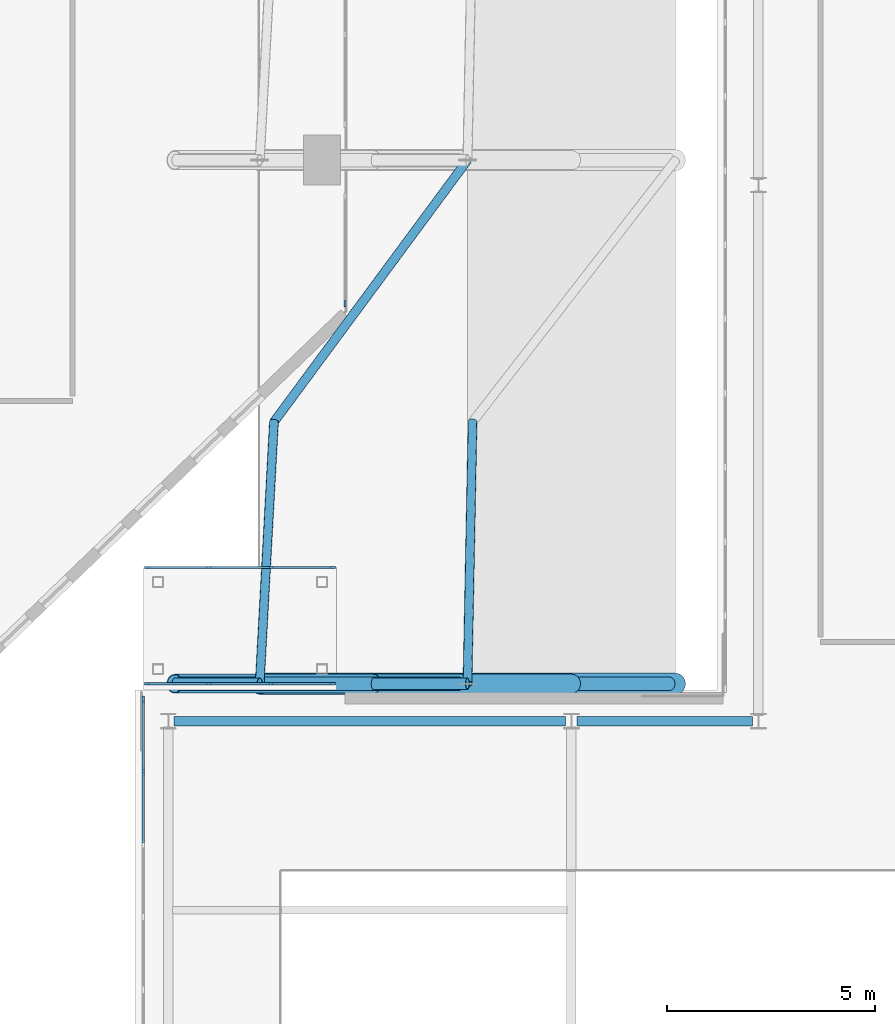
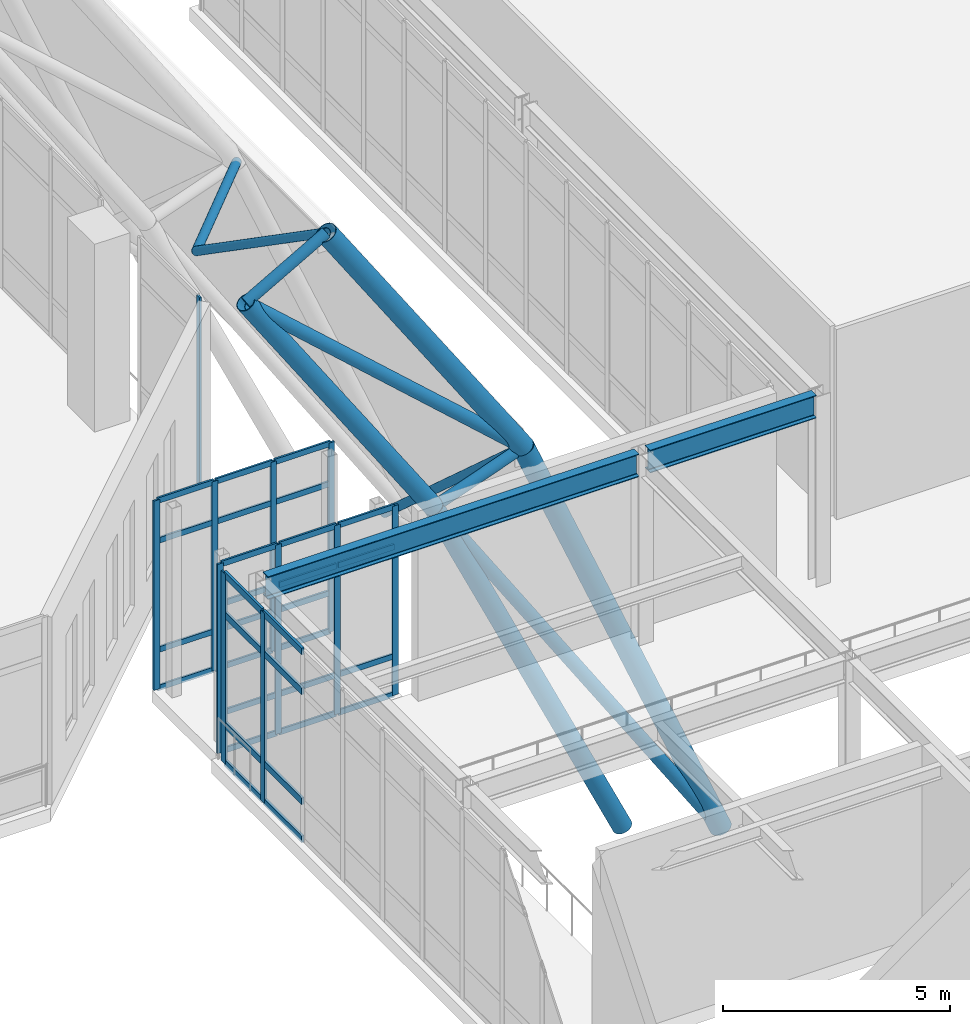
# One storey, part 37 of 159: 54 members, 2 beams, 4 elements without a shape of their own.
"""IFC4 building model written with IfcOpenShell, lengths in metres."""

from ifc_helpers import new_model, si_unit, derived_unit, direction, frame, origin, origin_2d, place, context, subcontext, project, spatial, rectangle, hollow_circle, i_section, extrude, material, layer, layer_set, material_profile, profile_set, type_object, element, aggregate, save


model = new_model("IFC4")

# Units and contexts
model_context = context("Model", 3, precision=1e-05, world=origin(), true_north=direction((0.0, 1.0)))
body_context = subcontext(model_context, "Body", "Model", "MODEL_VIEW")
ifc_project = project(units=[si_unit("LENGTHUNIT", "METRE"), si_unit("AREAUNIT", "SQUARE_METRE"), si_unit("VOLUMEUNIT", "CUBIC_METRE"), si_unit("PLANEANGLEUNIT", "RADIAN"), si_unit("MASSUNIT", "GRAM", prefix="KILO"), derived_unit("THERMALTRANSMITTANCEUNIT", [(si_unit("MASSUNIT", "GRAM", prefix="KILO"), 1), (si_unit("TIMEUNIT", "SECOND"), -3), (si_unit("THERMODYNAMICTEMPERATUREUNIT", "KELVIN"), -1)])], contexts=[model_context])

# Site, building, storey
site_placement = place(None, origin())
site = spatial("IfcSite", under=ifc_project, at=site_placement, CompositionType="ELEMENT")
building_placement = place(site_placement, origin())
building = spatial("IfcBuilding", under=site, at=building_placement, Name="Valcora Ridge Arena", CompositionType="ELEMENT")
storey_placement = place(building_placement, frame((0.0, 0.0, 6.0)))
storey = spatial("IfcBuildingStorey", under=building, at=storey_placement, Name="L01", CompositionType="ELEMENT", Elevation=6.0)

# Beams
ifc_material_1 = material(Name="Steel ASTM A572 Grade 50", Category="steel")
ifc_material_profile_1 = material_profile(ifc_material_1, i_section(OverallWidth=0.22900390625, OverallDepth=0.612060546875, WebThickness=0.011962890625, FlangeThickness=0.01953125, FilletRadius=0.01806640625, at=origin_2d()), Name="W24X84")
ifc_profile_set_1 = profile_set([ifc_material_profile_1], Name="Steel ASTM A572 Grade 50")
beam_type = type_object("IfcBeamType", Name="TY-BEAM-G-W24X84-X", PredefinedType="BEAM", material=ifc_profile_set_1)
beam_1_placement = place(storey_placement, frame((98.93994140625, 19.10009765625, 4.7939453125), z_axis=(1.0, 0.0, 0.0), x_axis=(0.0, 1.0, 0.0)))
element("IfcBeam", 1, at=beam_1_placement, inside=storey, type_object=beam_type, Name="G-W24X84-X BEM-G-W24X84-X-0007", PredefinedType="BEAM", context=body_context, shape_type="SweptSolid", body=[
    extrude(i_section(OverallWidth=0.22900390625, OverallDepth=0.612060546875, WebThickness=0.011962890625, FlangeThickness=0.01953125, FilletRadius=0.01806640625, at=origin_2d()), origin(), (0.0, 0.0, 1.0), 9.420166015625),
])
beam_2_placement = place(storey_placement, frame((108.639892578125, 19.10009765625, 4.7939453125), z_axis=(1.0, 0.0, 0.0), x_axis=(0.0, 1.0, 0.0)))
element("IfcBeam", 2, at=beam_2_placement, inside=storey, type_object=beam_type, Name="G-W24X84-X BEM-G-W24X84-X-0008", PredefinedType="BEAM", context=body_context, shape_type="SweptSolid", body=[
    extrude(i_section(OverallWidth=0.22900390625, OverallDepth=0.612060546875, WebThickness=0.011962890625, FlangeThickness=0.01953125, FilletRadius=0.01806640625, at=origin_2d()), origin(), (0.0, 0.0, 1.0), 4.22021484375),
])

# Curtain wall, member
ifc_material_2 = material(Name="Anodised dark bronze architectural aluminium 6063-T6", Category="aluminium")
ifc_layer_1 = layer(ifc_material_2, 0.14990234375, Name="Anodised dark bronze architectural aluminium 6063-T6")
ifc_layer_set_1 = layer_set([ifc_layer_1], Name="Anodised dark bronze architectural aluminium 6063-T6")
curtain_wall_type_1 = type_object("IfcCurtainWallType", Name="TY-CURTAINWALL-CW-V1-EAST-026X50", PredefinedType="NOTDEFINED", material=ifc_layer_set_1)
curtain_wall_1_placement = place(storey_placement, origin())
curtain_wall_1 = element("IfcCurtainWall", 3, at=curtain_wall_1_placement, inside=storey, type_object=curtain_wall_type_1, Name="CW-V1-EAST-026X50 CW-0106", PredefinedType="NOTDEFINED")
ifc_material_profile_2 = material_profile(ifc_material_2, rectangle(XDim=0.050048828125, YDim=0.14990234375, at=origin_2d()), Name="ALU MULLION 50x150")
ifc_profile_set_2 = profile_set([ifc_material_profile_2], Name="Anodised dark bronze architectural aluminium 6063-T6")
member_type_1 = type_object("IfcMemberType", Name="TY-MEM-CWM-50x150", PredefinedType="MULLION", material=ifc_profile_set_2)
member_1_placement = place(storey_placement, frame((103.050048828125, 29.141845703125, 0.0), z_axis=(0.0, 0.0, 1.0), x_axis=(-1.0, 0.0, 0.0)))
member_1 = element("IfcMember", 4, at=member_1_placement, type_object=member_type_1, Name="CW-0106/CWM-50x150/M00", PredefinedType="MULLION", context=body_context, shape_type="SweptSolid", body=[
    extrude(rectangle(XDim=0.050048828125, YDim=0.14990234375, at=origin_2d()), origin(), (0.0, 0.0, 1.0), 5.0400390625),
])
aggregate(curtain_wall_1, [member_1])

# Curtain wall, members
ifc_layer_2 = layer(ifc_material_2, 0.14990234375, Name="Anodised dark bronze architectural aluminium 6063-T6")
ifc_layer_set_2 = layer_set([ifc_layer_2], Name="Anodised dark bronze architectural aluminium 6063-T6")
curtain_wall_type_2 = type_object("IfcCurtainWallType", Name="TY-CURTAINWALL-CW-BRG-045X51", PredefinedType="NOTDEFINED", material=ifc_layer_set_2)
curtain_wall_2_placement = place(storey_placement, origin())
curtain_wall_2 = element("IfcCurtainWall", 5, at=curtain_wall_2_placement, inside=storey, type_object=curtain_wall_type_2, Name="CW-BRG-045X51 CW-0348", PredefinedType="NOTDEFINED")
member_2_placement = place(storey_placement, frame((98.304931640625, 20.0, 0.0), z_axis=(0.0, 0.0, 1.0), x_axis=(0.0, 1.0, 0.0)))
member_2 = element("IfcMember", 6, at=member_2_placement, type_object=member_type_1, Name="CW-0348/CWM-50x150/M00", PredefinedType="MULLION", context=body_context, shape_type="SweptSolid", body=[
    extrude(rectangle(XDim=0.050048828125, YDim=0.14990234375, at=origin_2d()), origin(), (0.0, 0.0, 1.0), 5.080078125),
])
member_3_placement = place(storey_placement, frame((99.776611328125, 20.0, 0.0), z_axis=(0.0, 0.0, 1.0), x_axis=(0.0, 1.0, 0.0)))
member_3 = element("IfcMember", 7, at=member_3_placement, type_object=member_type_1, Name="CW-0348/CWM-50x150/M01", PredefinedType="MULLION", context=body_context, shape_type="SweptSolid", body=[
    extrude(rectangle(XDim=0.050048828125, YDim=0.14990234375, at=origin_2d()), origin(), (0.0, 0.0, 1.0), 5.080078125),
])
member_4_placement = place(storey_placement, frame((101.273193359375, 20.0, 0.0), z_axis=(0.0, 0.0, 1.0), x_axis=(0.0, 1.0, 0.0)))
member_4 = element("IfcMember", 8, at=member_4_placement, type_object=member_type_1, Name="CW-0348/CWM-50x150/M02", PredefinedType="MULLION", context=body_context, shape_type="SweptSolid", body=[
    extrude(rectangle(XDim=0.050048828125, YDim=0.14990234375, at=origin_2d()), origin(), (0.0, 0.0, 1.0), 5.080078125),
])
member_5_placement = place(storey_placement, frame((102.7451171875, 20.0, 0.0), z_axis=(0.0, 0.0, 1.0), x_axis=(0.0, 1.0, 0.0)))
member_5 = element("IfcMember", 9, at=member_5_placement, type_object=member_type_1, Name="CW-0348/CWM-50x150/M03", PredefinedType="MULLION", context=body_context, shape_type="SweptSolid", body=[
    extrude(rectangle(XDim=0.050048828125, YDim=0.14990234375, at=origin_2d()), origin(), (0.0, 0.0, 1.0), 5.080078125),
])

curtain_wall_3_placement = place(storey_placement, origin())
curtain_wall_3 = element("IfcCurtainWall", 10, at=curtain_wall_3_placement, inside=storey, type_object=curtain_wall_type_2, Name="CW-BRG-045X51 CW-0349", PredefinedType="NOTDEFINED")
member_6_placement = place(storey_placement, frame((98.304931640625, 22.800048828125, 0.0), z_axis=(0.0, 0.0, 1.0), x_axis=(0.0, 1.0, 0.0)))
member_6 = element("IfcMember", 11, at=member_6_placement, type_object=member_type_1, Name="CW-0349/CWM-50x150/M00", PredefinedType="MULLION", context=body_context, shape_type="SweptSolid", body=[
    extrude(rectangle(XDim=0.050048828125, YDim=0.14990234375, at=origin_2d()), origin(), (0.0, 0.0, 1.0), 5.080078125),
])
member_7_placement = place(storey_placement, frame((99.776611328125, 22.800048828125, 0.0), z_axis=(0.0, 0.0, 1.0), x_axis=(0.0, 1.0, 0.0)))
member_7 = element("IfcMember", 12, at=member_7_placement, type_object=member_type_1, Name="CW-0349/CWM-50x150/M01", PredefinedType="MULLION", context=body_context, shape_type="SweptSolid", body=[
    extrude(rectangle(XDim=0.050048828125, YDim=0.14990234375, at=origin_2d()), origin(), (0.0, 0.0, 1.0), 5.080078125),
])
member_8_placement = place(storey_placement, frame((101.273193359375, 22.800048828125, 0.0), z_axis=(0.0, 0.0, 1.0), x_axis=(0.0, 1.0, 0.0)))
member_8 = element("IfcMember", 13, at=member_8_placement, type_object=member_type_1, Name="CW-0349/CWM-50x150/M02", PredefinedType="MULLION", context=body_context, shape_type="SweptSolid", body=[
    extrude(rectangle(XDim=0.050048828125, YDim=0.14990234375, at=origin_2d()), origin(), (0.0, 0.0, 1.0), 5.080078125),
])
member_9_placement = place(storey_placement, frame((102.7451171875, 22.800048828125, 0.0), z_axis=(0.0, 0.0, 1.0), x_axis=(0.0, 1.0, 0.0)))
member_9 = element("IfcMember", 14, at=member_9_placement, type_object=member_type_1, Name="CW-0349/CWM-50x150/M03", PredefinedType="MULLION", context=body_context, shape_type="SweptSolid", body=[
    extrude(rectangle(XDim=0.050048828125, YDim=0.14990234375, at=origin_2d()), origin(), (0.0, 0.0, 1.0), 5.080078125),
])

ifc_layer_3 = layer(ifc_material_2, 0.179931640625, Name="Anodised dark bronze architectural aluminium 6063-T6")
ifc_layer_set_3 = layer_set([ifc_layer_3], Name="Anodised dark bronze architectural aluminium 6063-T6")
curtain_wall_type_3 = type_object("IfcCurtainWallType", Name="TY-CURTAINWALL-CW-V3-LANCET-193X51", PredefinedType="NOTDEFINED", material=ifc_layer_set_3)
curtain_wall_4_placement = place(storey_placement, origin())
curtain_wall_4 = element("IfcCurtainWall", 15, at=curtain_wall_4_placement, inside=storey, type_object=curtain_wall_type_3, Name="CW-V3-LANCET-193X51 CW-0020", PredefinedType="NOTDEFINED")
ifc_material_profile_3 = material_profile(ifc_material_2, rectangle(XDim=0.06005859375, YDim=0.179931640625, at=origin_2d()), Name="ALU MULLION 60x180")
ifc_profile_set_3 = profile_set([ifc_material_profile_3], Name="Anodised dark bronze architectural aluminium 6063-T6")
member_type_2 = type_object("IfcMemberType", Name="TY-MEM-CWM-60x180", PredefinedType="MULLION", material=ifc_profile_set_3)
member_10_placement = place(storey_placement, frame((98.199951171875, 17.8955078125, 0.0), z_axis=(0.0, 0.0, 1.0), x_axis=(-1.0, 0.0, 0.0)))
member_10 = element("IfcMember", 16, at=member_10_placement, type_object=member_type_2, Name="CW-0020/CWM-60x180/M10", PredefinedType="MULLION", context=body_context, shape_type="SweptSolid", body=[
    extrude(rectangle(XDim=0.06005859375, YDim=0.179931640625, at=origin_2d()), origin(), (0.0, 0.0, 1.0), 5.10009765625),
])
member_11_placement = place(storey_placement, frame((98.199951171875, 19.6201171875, 0.0), z_axis=(0.0, 0.0, 1.0), x_axis=(-1.0, 0.0, 0.0)))
member_11 = element("IfcMember", 17, at=member_11_placement, type_object=member_type_2, Name="CW-0020/CWM-60x180/M11", PredefinedType="MULLION", context=body_context, shape_type="SweptSolid", body=[
    extrude(rectangle(XDim=0.06005859375, YDim=0.179931640625, at=origin_2d()), origin(), (0.0, 0.0, 1.0), 5.10009765625),
])

# Member
ifc_material_profile_4 = material_profile(ifc_material_2, rectangle(XDim=0.050048828125, YDim=0.14990234375, at=origin_2d()), Name="ALU TRANSOM 50x150")
ifc_profile_set_4 = profile_set([ifc_material_profile_4], Name="Anodised dark bronze architectural aluminium 6063-T6")
member_type_3 = type_object("IfcMemberType", Name="TY-MEM-CWT-50x150", PredefinedType="USERDEFINED", material=ifc_profile_set_4)
member_12_placement = place(storey_placement, frame((98.330078125, 20.0, 0.02490234375), z_axis=(1.0, 0.0, 0.0), x_axis=(0.0, 1.0, 0.0)))
member_12 = element("IfcMember", 18, at=member_12_placement, type_object=member_type_3, Name="CW-0348/CWT-50x150/T00-00", ObjectType="TRANSOM", PredefinedType="USERDEFINED", context=body_context, shape_type="SweptSolid", body=[
    extrude(rectangle(XDim=0.050048828125, YDim=0.14990234375, at=origin_2d()), origin(), (0.0, 0.0, 1.0), 1.421875),
])

member_13_placement = place(storey_placement, frame((98.330078125, 20.0, 1.050048828125), z_axis=(1.0, 0.0, 0.0), x_axis=(0.0, 1.0, 0.0)))
member_13 = element("IfcMember", 19, at=member_13_placement, type_object=member_type_3, Name="CW-0348/CWT-50x150/T00-01", ObjectType="TRANSOM", PredefinedType="USERDEFINED", context=body_context, shape_type="SweptSolid", body=[
    extrude(rectangle(XDim=0.050048828125, YDim=0.14990234375, at=origin_2d()), origin(), (0.0, 0.0, 1.0), 1.421875),
])

member_14_placement = place(storey_placement, frame((98.330078125, 20.0, 3.97998046875), z_axis=(1.0, 0.0, 0.0), x_axis=(0.0, 1.0, 0.0)))
member_14 = element("IfcMember", 20, at=member_14_placement, type_object=member_type_3, Name="CW-0348/CWT-50x150/T00-02", ObjectType="TRANSOM", PredefinedType="USERDEFINED", context=body_context, shape_type="SweptSolid", body=[
    extrude(rectangle(XDim=0.050048828125, YDim=0.14990234375, at=origin_2d()), origin(), (0.0, 0.0, 1.0), 1.421875),
])

member_15_placement = place(storey_placement, frame((98.330078125, 20.0, 5.054931640625), z_axis=(1.0, 0.0, 0.0), x_axis=(0.0, 1.0, 0.0)))
member_15 = element("IfcMember", 21, at=member_15_placement, type_object=member_type_3, Name="CW-0348/CWT-50x150/T00-03", ObjectType="TRANSOM", PredefinedType="USERDEFINED", context=body_context, shape_type="SweptSolid", body=[
    extrude(rectangle(XDim=0.050048828125, YDim=0.14990234375, at=origin_2d()), origin(), (0.0, 0.0, 1.0), 1.421875),
])

member_16_placement = place(storey_placement, frame((99.802001953125, 20.0, 0.02490234375), z_axis=(1.0, 0.0, 0.0), x_axis=(0.0, 1.0, 0.0)))
member_16 = element("IfcMember", 22, at=member_16_placement, type_object=member_type_3, Name="CW-0348/CWT-50x150/T01-00", ObjectType="TRANSOM", PredefinedType="USERDEFINED", context=body_context, shape_type="SweptSolid", body=[
    extrude(rectangle(XDim=0.050048828125, YDim=0.14990234375, at=origin_2d()), origin(), (0.0, 0.0, 1.0), 1.446044921875),
])

member_17_placement = place(storey_placement, frame((99.802001953125, 20.0, 1.050048828125), z_axis=(1.0, 0.0, 0.0), x_axis=(0.0, 1.0, 0.0)))
member_17 = element("IfcMember", 23, at=member_17_placement, type_object=member_type_3, Name="CW-0348/CWT-50x150/T01-01", ObjectType="TRANSOM", PredefinedType="USERDEFINED", context=body_context, shape_type="SweptSolid", body=[
    extrude(rectangle(XDim=0.050048828125, YDim=0.14990234375, at=origin_2d()), origin(), (0.0, 0.0, 1.0), 1.446044921875),
])

member_18_placement = place(storey_placement, frame((99.802001953125, 20.0, 3.97998046875), z_axis=(1.0, 0.0, 0.0), x_axis=(0.0, 1.0, 0.0)))
member_18 = element("IfcMember", 24, at=member_18_placement, type_object=member_type_3, Name="CW-0348/CWT-50x150/T01-02", ObjectType="TRANSOM", PredefinedType="USERDEFINED", context=body_context, shape_type="SweptSolid", body=[
    extrude(rectangle(XDim=0.050048828125, YDim=0.14990234375, at=origin_2d()), origin(), (0.0, 0.0, 1.0), 1.446044921875),
])

member_19_placement = place(storey_placement, frame((99.802001953125, 20.0, 5.054931640625), z_axis=(1.0, 0.0, 0.0), x_axis=(0.0, 1.0, 0.0)))
member_19 = element("IfcMember", 25, at=member_19_placement, type_object=member_type_3, Name="CW-0348/CWT-50x150/T01-03", ObjectType="TRANSOM", PredefinedType="USERDEFINED", context=body_context, shape_type="SweptSolid", body=[
    extrude(rectangle(XDim=0.050048828125, YDim=0.14990234375, at=origin_2d()), origin(), (0.0, 0.0, 1.0), 1.446044921875),
])

member_20_placement = place(storey_placement, frame((101.298095703125, 20.0, 0.02490234375), z_axis=(1.0, 0.0, 0.0), x_axis=(0.0, 1.0, 0.0)))
member_20 = element("IfcMember", 26, at=member_20_placement, type_object=member_type_3, Name="CW-0348/CWT-50x150/T02-00", ObjectType="TRANSOM", PredefinedType="USERDEFINED", context=body_context, shape_type="SweptSolid", body=[
    extrude(rectangle(XDim=0.050048828125, YDim=0.14990234375, at=origin_2d()), origin(), (0.0, 0.0, 1.0), 1.421875),
])

member_21_placement = place(storey_placement, frame((101.298095703125, 20.0, 1.050048828125), z_axis=(1.0, 0.0, 0.0), x_axis=(0.0, 1.0, 0.0)))
member_21 = element("IfcMember", 27, at=member_21_placement, type_object=member_type_3, Name="CW-0348/CWT-50x150/T02-01", ObjectType="TRANSOM", PredefinedType="USERDEFINED", context=body_context, shape_type="SweptSolid", body=[
    extrude(rectangle(XDim=0.050048828125, YDim=0.14990234375, at=origin_2d()), origin(), (0.0, 0.0, 1.0), 1.421875),
])

member_22_placement = place(storey_placement, frame((101.298095703125, 20.0, 3.97998046875), z_axis=(1.0, 0.0, 0.0), x_axis=(0.0, 1.0, 0.0)))
member_22 = element("IfcMember", 28, at=member_22_placement, type_object=member_type_3, Name="CW-0348/CWT-50x150/T02-02", ObjectType="TRANSOM", PredefinedType="USERDEFINED", context=body_context, shape_type="SweptSolid", body=[
    extrude(rectangle(XDim=0.050048828125, YDim=0.14990234375, at=origin_2d()), origin(), (0.0, 0.0, 1.0), 1.421875),
])

member_23_placement = place(storey_placement, frame((101.298095703125, 20.0, 5.054931640625), z_axis=(1.0, 0.0, 0.0), x_axis=(0.0, 1.0, 0.0)))
member_23 = element("IfcMember", 29, at=member_23_placement, type_object=member_type_3, Name="CW-0348/CWT-50x150/T02-03", ObjectType="TRANSOM", PredefinedType="USERDEFINED", context=body_context, shape_type="SweptSolid", body=[
    extrude(rectangle(XDim=0.050048828125, YDim=0.14990234375, at=origin_2d()), origin(), (0.0, 0.0, 1.0), 1.421875),
])

aggregate(curtain_wall_2, [member_2, member_3, member_4, member_5, member_12, member_13, member_14, member_15, member_16, member_17, member_18, member_19, member_20, member_21, member_22, member_23])

member_24_placement = place(storey_placement, frame((98.330078125, 22.800048828125, 0.02490234375), z_axis=(1.0, 0.0, 0.0), x_axis=(0.0, 1.0, 0.0)))
member_24 = element("IfcMember", 30, at=member_24_placement, type_object=member_type_3, Name="CW-0349/CWT-50x150/T00-00", ObjectType="TRANSOM", PredefinedType="USERDEFINED", context=body_context, shape_type="SweptSolid", body=[
    extrude(rectangle(XDim=0.050048828125, YDim=0.14990234375, at=origin_2d()), origin(), (0.0, 0.0, 1.0), 1.421875),
])

member_25_placement = place(storey_placement, frame((98.330078125, 22.800048828125, 1.050048828125), z_axis=(1.0, 0.0, 0.0), x_axis=(0.0, 1.0, 0.0)))
member_25 = element("IfcMember", 31, at=member_25_placement, type_object=member_type_3, Name="CW-0349/CWT-50x150/T00-01", ObjectType="TRANSOM", PredefinedType="USERDEFINED", context=body_context, shape_type="SweptSolid", body=[
    extrude(rectangle(XDim=0.050048828125, YDim=0.14990234375, at=origin_2d()), origin(), (0.0, 0.0, 1.0), 1.421875),
])

member_26_placement = place(storey_placement, frame((98.330078125, 22.800048828125, 3.97998046875), z_axis=(1.0, 0.0, 0.0), x_axis=(0.0, 1.0, 0.0)))
member_26 = element("IfcMember", 32, at=member_26_placement, type_object=member_type_3, Name="CW-0349/CWT-50x150/T00-02", ObjectType="TRANSOM", PredefinedType="USERDEFINED", context=body_context, shape_type="SweptSolid", body=[
    extrude(rectangle(XDim=0.050048828125, YDim=0.14990234375, at=origin_2d()), origin(), (0.0, 0.0, 1.0), 1.421875),
])

member_27_placement = place(storey_placement, frame((98.330078125, 22.800048828125, 5.054931640625), z_axis=(1.0, 0.0, 0.0), x_axis=(0.0, 1.0, 0.0)))
member_27 = element("IfcMember", 33, at=member_27_placement, type_object=member_type_3, Name="CW-0349/CWT-50x150/T00-03", ObjectType="TRANSOM", PredefinedType="USERDEFINED", context=body_context, shape_type="SweptSolid", body=[
    extrude(rectangle(XDim=0.050048828125, YDim=0.14990234375, at=origin_2d()), origin(), (0.0, 0.0, 1.0), 1.421875),
])

member_28_placement = place(storey_placement, frame((99.802001953125, 22.800048828125, 0.02490234375), z_axis=(1.0, 0.0, 0.0), x_axis=(0.0, 1.0, 0.0)))
member_28 = element("IfcMember", 34, at=member_28_placement, type_object=member_type_3, Name="CW-0349/CWT-50x150/T01-00", ObjectType="TRANSOM", PredefinedType="USERDEFINED", context=body_context, shape_type="SweptSolid", body=[
    extrude(rectangle(XDim=0.050048828125, YDim=0.14990234375, at=origin_2d()), origin(), (0.0, 0.0, 1.0), 1.446044921875),
])

member_29_placement = place(storey_placement, frame((99.802001953125, 22.800048828125, 1.050048828125), z_axis=(1.0, 0.0, 0.0), x_axis=(0.0, 1.0, 0.0)))
member_29 = element("IfcMember", 35, at=member_29_placement, type_object=member_type_3, Name="CW-0349/CWT-50x150/T01-01", ObjectType="TRANSOM", PredefinedType="USERDEFINED", context=body_context, shape_type="SweptSolid", body=[
    extrude(rectangle(XDim=0.050048828125, YDim=0.14990234375, at=origin_2d()), origin(), (0.0, 0.0, 1.0), 1.446044921875),
])

member_30_placement = place(storey_placement, frame((99.802001953125, 22.800048828125, 3.97998046875), z_axis=(1.0, 0.0, 0.0), x_axis=(0.0, 1.0, 0.0)))
member_30 = element("IfcMember", 36, at=member_30_placement, type_object=member_type_3, Name="CW-0349/CWT-50x150/T01-02", ObjectType="TRANSOM", PredefinedType="USERDEFINED", context=body_context, shape_type="SweptSolid", body=[
    extrude(rectangle(XDim=0.050048828125, YDim=0.14990234375, at=origin_2d()), origin(), (0.0, 0.0, 1.0), 1.446044921875),
])

member_31_placement = place(storey_placement, frame((99.802001953125, 22.800048828125, 5.054931640625), z_axis=(1.0, 0.0, 0.0), x_axis=(0.0, 1.0, 0.0)))
member_31 = element("IfcMember", 37, at=member_31_placement, type_object=member_type_3, Name="CW-0349/CWT-50x150/T01-03", ObjectType="TRANSOM", PredefinedType="USERDEFINED", context=body_context, shape_type="SweptSolid", body=[
    extrude(rectangle(XDim=0.050048828125, YDim=0.14990234375, at=origin_2d()), origin(), (0.0, 0.0, 1.0), 1.446044921875),
])

member_32_placement = place(storey_placement, frame((101.298095703125, 22.800048828125, 0.02490234375), z_axis=(1.0, 0.0, 0.0), x_axis=(0.0, 1.0, 0.0)))
member_32 = element("IfcMember", 38, at=member_32_placement, type_object=member_type_3, Name="CW-0349/CWT-50x150/T02-00", ObjectType="TRANSOM", PredefinedType="USERDEFINED", context=body_context, shape_type="SweptSolid", body=[
    extrude(rectangle(XDim=0.050048828125, YDim=0.14990234375, at=origin_2d()), origin(), (0.0, 0.0, 1.0), 1.421875),
])

member_33_placement = place(storey_placement, frame((101.298095703125, 22.800048828125, 1.050048828125), z_axis=(1.0, 0.0, 0.0), x_axis=(0.0, 1.0, 0.0)))
member_33 = element("IfcMember", 39, at=member_33_placement, type_object=member_type_3, Name="CW-0349/CWT-50x150/T02-01", ObjectType="TRANSOM", PredefinedType="USERDEFINED", context=body_context, shape_type="SweptSolid", body=[
    extrude(rectangle(XDim=0.050048828125, YDim=0.14990234375, at=origin_2d()), origin(), (0.0, 0.0, 1.0), 1.421875),
])

member_34_placement = place(storey_placement, frame((101.298095703125, 22.800048828125, 3.97998046875), z_axis=(1.0, 0.0, 0.0), x_axis=(0.0, 1.0, 0.0)))
member_34 = element("IfcMember", 40, at=member_34_placement, type_object=member_type_3, Name="CW-0349/CWT-50x150/T02-02", ObjectType="TRANSOM", PredefinedType="USERDEFINED", context=body_context, shape_type="SweptSolid", body=[
    extrude(rectangle(XDim=0.050048828125, YDim=0.14990234375, at=origin_2d()), origin(), (0.0, 0.0, 1.0), 1.421875),
])

member_35_placement = place(storey_placement, frame((101.298095703125, 22.800048828125, 5.054931640625), z_axis=(1.0, 0.0, 0.0), x_axis=(0.0, 1.0, 0.0)))
member_35 = element("IfcMember", 41, at=member_35_placement, type_object=member_type_3, Name="CW-0349/CWT-50x150/T02-03", ObjectType="TRANSOM", PredefinedType="USERDEFINED", context=body_context, shape_type="SweptSolid", body=[
    extrude(rectangle(XDim=0.050048828125, YDim=0.14990234375, at=origin_2d()), origin(), (0.0, 0.0, 1.0), 1.421875),
])

aggregate(curtain_wall_3, [member_6, member_7, member_8, member_9, member_24, member_25, member_26, member_27, member_28, member_29, member_30, member_31, member_32, member_33, member_34, member_35])

ifc_material_profile_5 = material_profile(ifc_material_2, rectangle(XDim=0.06005859375, YDim=0.179931640625, at=origin_2d()), Name="ALU TRANSOM 60x180")
ifc_profile_set_5 = profile_set([ifc_material_profile_5], Name="Anodised dark bronze architectural aluminium 6063-T6")
member_type_4 = type_object("IfcMemberType", Name="TY-MEM-CWT-60x180", PredefinedType="USERDEFINED", material=ifc_profile_set_5)
member_36_placement = place(storey_placement, frame((98.199951171875, 16.1708984375, 0.030029296875), z_axis=(0.0, 1.0, 0.0), x_axis=(-1.0, 0.0, 0.0)))
member_36 = element("IfcMember", 42, at=member_36_placement, type_object=member_type_4, Name="CW-0020/CWT-60x180/T09-00", ObjectType="TRANSOM", PredefinedType="USERDEFINED", context=body_context, shape_type="SweptSolid", body=[
    extrude(rectangle(XDim=0.06005859375, YDim=0.179931640625, at=origin_2d()), origin(), (0.0, 0.0, 1.0), 1.694091796875),
])

member_37_placement = place(storey_placement, frame((98.199951171875, 16.1708984375, 1.050048828125), z_axis=(0.0, 1.0, 0.0), x_axis=(-1.0, 0.0, 0.0)))
member_37 = element("IfcMember", 43, at=member_37_placement, type_object=member_type_4, Name="CW-0020/CWT-60x180/T09-01", ObjectType="TRANSOM", PredefinedType="USERDEFINED", context=body_context, shape_type="SweptSolid", body=[
    extrude(rectangle(XDim=0.06005859375, YDim=0.179931640625, at=origin_2d()), origin(), (0.0, 0.0, 1.0), 1.694091796875),
])

member_38_placement = place(storey_placement, frame((98.199951171875, 16.1708984375, 4.0), z_axis=(0.0, 1.0, 0.0), x_axis=(-1.0, 0.0, 0.0)))
member_38 = element("IfcMember", 44, at=member_38_placement, type_object=member_type_4, Name="CW-0020/CWT-60x180/T09-02", ObjectType="TRANSOM", PredefinedType="USERDEFINED", context=body_context, shape_type="SweptSolid", body=[
    extrude(rectangle(XDim=0.06005859375, YDim=0.179931640625, at=origin_2d()), origin(), (0.0, 0.0, 1.0), 1.694091796875),
])

member_39_placement = place(storey_placement, frame((98.199951171875, 16.1708984375, 5.070068359375), z_axis=(0.0, 1.0, 0.0), x_axis=(-1.0, 0.0, 0.0)))
member_39 = element("IfcMember", 45, at=member_39_placement, type_object=member_type_4, Name="CW-0020/CWT-60x180/T09-03", ObjectType="TRANSOM", PredefinedType="USERDEFINED", context=body_context, shape_type="SweptSolid", body=[
    extrude(rectangle(XDim=0.06005859375, YDim=0.179931640625, at=origin_2d()), origin(), (0.0, 0.0, 1.0), 1.694091796875),
])

member_40_placement = place(storey_placement, frame((98.199951171875, 17.925048828125, 0.030029296875), z_axis=(0.0, 1.0, 0.0), x_axis=(-1.0, 0.0, 0.0)))
member_40 = element("IfcMember", 46, at=member_40_placement, type_object=member_type_4, Name="CW-0020/CWT-60x180/T10-00", ObjectType="TRANSOM", PredefinedType="USERDEFINED", context=body_context, shape_type="SweptSolid", body=[
    extrude(rectangle(XDim=0.06005859375, YDim=0.179931640625, at=origin_2d()), origin(), (0.0, 0.0, 1.0), 1.6650390625),
])

member_41_placement = place(storey_placement, frame((98.199951171875, 17.925048828125, 1.050048828125), z_axis=(0.0, 1.0, 0.0), x_axis=(-1.0, 0.0, 0.0)))
member_41 = element("IfcMember", 47, at=member_41_placement, type_object=member_type_4, Name="CW-0020/CWT-60x180/T10-01", ObjectType="TRANSOM", PredefinedType="USERDEFINED", context=body_context, shape_type="SweptSolid", body=[
    extrude(rectangle(XDim=0.06005859375, YDim=0.179931640625, at=origin_2d()), origin(), (0.0, 0.0, 1.0), 1.6650390625),
])

member_42_placement = place(storey_placement, frame((98.199951171875, 17.925048828125, 4.0), z_axis=(0.0, 1.0, 0.0), x_axis=(-1.0, 0.0, 0.0)))
member_42 = element("IfcMember", 48, at=member_42_placement, type_object=member_type_4, Name="CW-0020/CWT-60x180/T10-02", ObjectType="TRANSOM", PredefinedType="USERDEFINED", context=body_context, shape_type="SweptSolid", body=[
    extrude(rectangle(XDim=0.06005859375, YDim=0.179931640625, at=origin_2d()), origin(), (0.0, 0.0, 1.0), 1.6650390625),
])

member_43_placement = place(storey_placement, frame((98.199951171875, 17.925048828125, 5.070068359375), z_axis=(0.0, 1.0, 0.0), x_axis=(-1.0, 0.0, 0.0)))
member_43 = element("IfcMember", 49, at=member_43_placement, type_object=member_type_4, Name="CW-0020/CWT-60x180/T10-03", ObjectType="TRANSOM", PredefinedType="USERDEFINED", context=body_context, shape_type="SweptSolid", body=[
    extrude(rectangle(XDim=0.06005859375, YDim=0.179931640625, at=origin_2d()), origin(), (0.0, 0.0, 1.0), 1.6650390625),
])

aggregate(curtain_wall_4, [member_10, member_11, member_36, member_37, member_38, member_39, member_40, member_41, member_42, member_43])

# Members
ifc_material_3 = material(Name="Steel ASTM A500 Grade C", Category="steel")
ifc_material_profile_6 = material_profile(ifc_material_3, hollow_circle(Radius=0.228515625, WallThickness=0.01611328125, at=origin_2d()), Name="CHS457X16")
ifc_profile_set_6 = profile_set([ifc_material_profile_6], Name="Steel ASTM A500 Grade C")
member_type_5 = type_object("IfcMemberType", Name="TY-MEMBER-SFBC-457", PredefinedType="CHORD", material=ifc_profile_set_6)
member_44_placement = place(storey_placement, frame((98.95654296875, 20.0, 11.845947265625), z_axis=(0.554844245473, 0.0, -0.831954243493), x_axis=(0.0, 1.0, 0.0)))
element("IfcMember", 50, at=member_44_placement, inside=storey, type_object=member_type_5, Name="SFBC-457 Space Frame Bottom Chord", PredefinedType="CHORD", context=body_context, shape_type="SweptSolid", body=[
    extrude(hollow_circle(Radius=0.228515625, WallThickness=0.01611328125, at=origin_2d()), origin(), (0.0, 0.0, 1.0), 8.60400390625),
])
member_45_placement = place(storey_placement, frame((103.73046875, 20.0, 4.687744140625), z_axis=(0.423307664024, 0.0, -0.90598599414), x_axis=(0.0, 1.0, 0.0)))
element("IfcMember", 51, at=member_45_placement, inside=storey, type_object=member_type_5, Name="SFBC-457 Space Frame Bottom Chord", PredefinedType="CHORD", context=body_context, shape_type="SweptSolid", body=[
    extrude(hollow_circle(Radius=0.228515625, WallThickness=0.01611328125, at=origin_2d()), origin(), (0.0, 0.0, 1.0), 11.300048828125),
])
ifc_material_profile_7 = material_profile(ifc_material_3, hollow_circle(Radius=0.136474609375, WallThickness=0.012451171875, at=origin_2d()), Name="CHS273X12")
ifc_profile_set_7 = profile_set([ifc_material_profile_7], Name="Steel ASTM A500 Grade C")
member_type_6 = type_object("IfcMemberType", Name="TY-MEMBER-SFKP-273", PredefinedType="POST", material=ifc_profile_set_7)
member_46_placement = place(storey_placement, frame((98.95654296875, 20.0, 11.845947265625), z_axis=(0.870066770029, 0.0, 0.49293388572), x_axis=(0.0, 1.0, 0.0)))
element("IfcMember", 52, at=member_46_placement, inside=storey, type_object=member_type_6, Name="SFKP-273 Space Frame King Post", PredefinedType="POST", context=body_context, shape_type="SweptSolid", body=[
    extrude(hollow_circle(Radius=0.136474609375, WallThickness=0.012451171875, at=origin_2d()), origin(), (0.0, 0.0, 1.0), 2.3486328125),
])
member_47_placement = place(storey_placement, frame((103.73046875, 20.0, 4.687744140625), z_axis=(0.940679548022, 0.0, 0.339296312878), x_axis=(0.0, 1.0, 0.0)))
element("IfcMember", 53, at=member_47_placement, inside=storey, type_object=member_type_6, Name="SFKP-273 Space Frame King Post", PredefinedType="POST", context=body_context, shape_type="SweptSolid", body=[
    extrude(hollow_circle(Radius=0.136474609375, WallThickness=0.012451171875, at=origin_2d()), origin(), (0.0, 0.0, 1.0), 2.41259765625),
])
ifc_material_profile_8 = material_profile(ifc_material_3, hollow_circle(Radius=0.109619140625, WallThickness=0.010009765625, at=origin_2d()), Name="CHS219X10")
ifc_profile_set_8 = profile_set([ifc_material_profile_8], Name="Steel ASTM A500 Grade C")
member_type_7 = type_object("IfcMemberType", Name="TY-MEMBER-SFST-219", PredefinedType="STRUT", material=ifc_profile_set_8)
member_48_placement = place(storey_placement, frame((101.343505859375, 26.300048828125, 8.570068359375), z_axis=(-0.044545322224, -0.816980838661, 0.57494175664), x_axis=(0.998516855542, -0.054443449554, 0.0)))
element("IfcMember", 54, at=member_48_placement, inside=storey, type_object=member_type_7, Name="SFST-219 Space Frame Tie Strut", PredefinedType="STRUT", context=body_context, shape_type="SweptSolid", body=[
    extrude(hollow_circle(Radius=0.109619140625, WallThickness=0.010009765625, at=origin_2d()), origin(), (0.0, 0.0, 1.0), 7.71142578125),
])
member_49_placement = place(storey_placement, frame((101.343505859375, 26.300048828125, 8.570068359375), z_axis=(0.55356081568, 0.748945464721, -0.364213006657), x_axis=(-0.804180027391, 0.59438580362, 0.0)))
element("IfcMember", 55, at=member_49_placement, inside=storey, type_object=member_type_7, Name="SFST-219 Space Frame Tie Strut", PredefinedType="STRUT", context=body_context, shape_type="SweptSolid", body=[
    extrude(hollow_circle(Radius=0.109619140625, WallThickness=0.010009765625, at=origin_2d()), origin(), (0.0, 0.0, 1.0), 8.411865234375),
])
member_50_placement = place(storey_placement, frame((106.122314453125, 26.300048828125, -0.131103515625), z_axis=(-0.014466583162, -0.745130096773, 0.666762219127), x_axis=(0.999811585217, -0.019411184042, 0.0)))
element("IfcMember", 56, at=member_50_placement, inside=storey, type_object=member_type_7, Name="SFST-219 Space Frame Tie Strut", PredefinedType="STRUT", context=body_context, shape_type="SweptSolid", body=[
    extrude(hollow_circle(Radius=0.109619140625, WallThickness=0.010009765625, at=origin_2d()), origin(), (0.0, 0.0, 1.0), 8.455078125),
])
ifc_material_profile_9 = material_profile(ifc_material_3, hollow_circle(Radius=0.25390625, WallThickness=0.01611328125, at=origin_2d()), Name="CHS508X16")
ifc_profile_set_9 = profile_set([ifc_material_profile_9], Name="Steel ASTM A500 Grade C")
member_type_8 = type_object("IfcMemberType", Name="TY-MEMBER-SFTC-508", PredefinedType="CHORD", material=ifc_profile_set_9)
member_51_placement = place(storey_placement, frame((101.0, 20.0, 13.003662109375), z_axis=(0.554837731053, 0.0, -0.831958588032), x_axis=(0.0, 1.0, 0.0)))
element("IfcMember", 57, at=member_51_placement, inside=storey, type_object=member_type_8, Name="SFTC-508 Space Frame Top Chord", PredefinedType="CHORD", context=body_context, shape_type="SweptSolid", body=[
    extrude(hollow_circle(Radius=0.25390625, WallThickness=0.01611328125, at=origin_2d()), origin(), (0.0, 0.0, 1.0), 9.01171875),
])
member_52_placement = place(storey_placement, frame((106.0, 20.0, 5.50634765625), z_axis=(0.386469367501, 0.0, -0.922302243293), x_axis=(0.0, 1.0, 0.0)))
element("IfcMember", 58, at=member_52_placement, inside=storey, type_object=member_type_8, Name="SFTC-508 Space Frame Top Chord", PredefinedType="CHORD", context=body_context, shape_type="SweptSolid", body=[
    extrude(hollow_circle(Radius=0.25390625, WallThickness=0.01611328125, at=origin_2d()), origin(), (0.0, 0.0, 1.0), 12.963623046875),
])
ifc_material_profile_10 = material_profile(ifc_material_3, hollow_circle(Radius=0.161865234375, WallThickness=0.012451171875, at=origin_2d()), Name="CHS323X12")
ifc_profile_set_10 = profile_set([ifc_material_profile_10], Name="Steel ASTM A500 Grade C")
member_type_9 = type_object("IfcMemberType", Name="TY-MEMBER-SFWB-323", PredefinedType="BRACE", material=ifc_profile_set_10)
member_53_placement = place(storey_placement, frame((99.075439453125, 20.0, 11.739013671875), z_axis=(0.743265934417, 0.0, -0.668996076771), x_axis=(0.0, 1.0, 0.0)))
element("IfcMember", 59, at=member_53_placement, inside=storey, type_object=member_type_9, Name="SFWB-323 Space Frame Diagonal Brace", PredefinedType="BRACE", context=body_context, shape_type="SweptSolid", body=[
    extrude(hollow_circle(Radius=0.161865234375, WallThickness=0.012451171875, at=origin_2d()), origin(), (0.0, 0.0, 1.0), 9.03662109375),
])
member_54_placement = place(storey_placement, frame((103.818115234375, 20.0, 4.5537109375), z_axis=(0.547092389221, 0.0, -0.837072229653), x_axis=(0.0, 1.0, 0.0)))
element("IfcMember", 60, at=member_54_placement, inside=storey, type_object=member_type_9, Name="SFWB-323 Space Frame Diagonal Brace", PredefinedType="BRACE", context=body_context, shape_type="SweptSolid", body=[
    extrude(hollow_circle(Radius=0.161865234375, WallThickness=0.012451171875, at=origin_2d()), origin(), (0.0, 0.0, 1.0), 12.865478515625),
])

save(model, "model.ifc")
